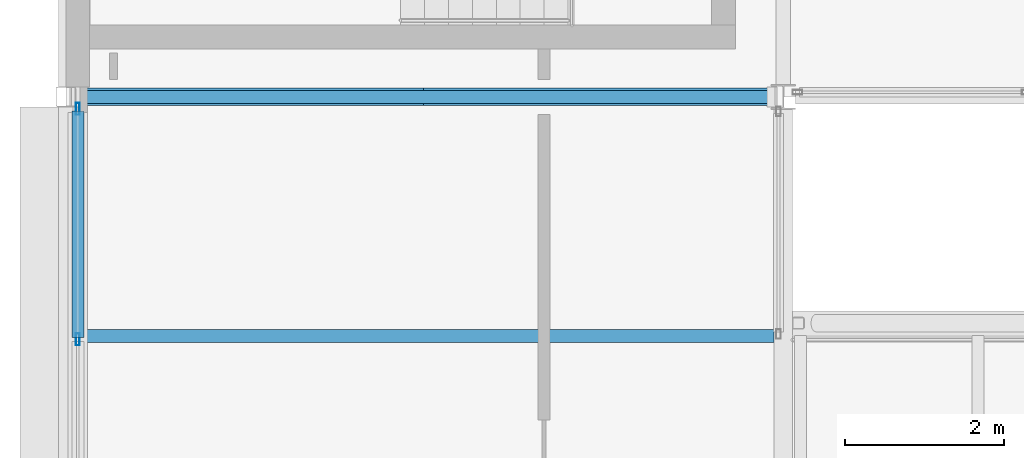
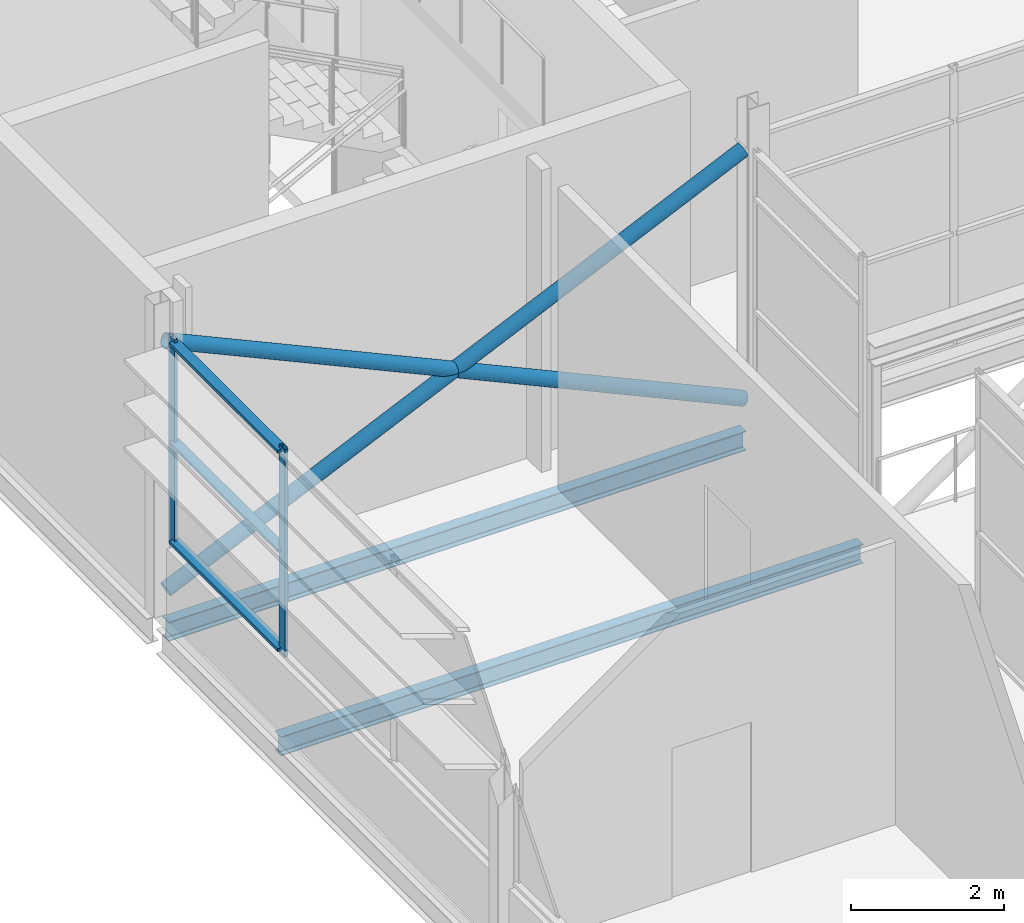
# One storey, part 22 of 94: 7 members, 2 beams, 1 element without a shape of its own.
"""IFC4 building model written with IfcOpenShell, lengths in metres."""

from ifc_helpers import new_model, si_unit, direction, frame, origin, origin_2d, place, context, subcontext, project, spatial, hollow_rectangle, hollow_circle, i_section, extrude, material, layer, layer_set, material_profile, profile_set, type_object, element, aggregate, save


model = new_model("IFC4")

# Units and contexts
model_context = context("Model", 3, precision=1e-05, world=origin(), true_north=direction((0.0, 1.0)))
body_context = subcontext(model_context, "Body", "Model", "MODEL_VIEW")
ifc_project = project(units=[si_unit("LENGTHUNIT", "METRE"), si_unit("AREAUNIT", "SQUARE_METRE"), si_unit("VOLUMEUNIT", "CUBIC_METRE"), si_unit("PLANEANGLEUNIT", "RADIAN"), si_unit("MASSUNIT", "GRAM", prefix="KILO")], contexts=[model_context])

# Site, building, storey
site_placement = place(None, origin())
site = spatial("IfcSite", under=ifc_project, at=site_placement, CompositionType="ELEMENT")
building_placement = place(site_placement, origin())
building = spatial("IfcBuilding", under=site, at=building_placement, Name="Shorebreak Coast Museum", CompositionType="ELEMENT")
storey_placement = place(building_placement, frame((0.0, 0.0, 31.0)))
storey = spatial("IfcBuildingStorey", under=building, at=storey_placement, Name="L05", CompositionType="ELEMENT", Elevation=31.0)

# Beams
ifc_material_1 = material(Name="Steel Grade 300", Category="steel")
ifc_material_profile_1 = material_profile(ifc_material_1, i_section(OverallWidth=0.166015625, OverallDepth=0.30712890625, WebThickness=0.006591796875, FlangeThickness=0.01171875, FilletRadius=0.011474609375, at=origin_2d()), Name="310UB46.2")
ifc_profile_set_1 = profile_set([ifc_material_profile_1], Name="Steel Grade 300")
beam_type_1 = type_object("IfcBeamType", Name="Floor girder east-west 310UB46.2", PredefinedType="BEAM", material=ifc_profile_set_1)
beam_1_placement = place(storey_placement, frame((54.125, 81.0, -0.32861328125), z_axis=(1.0, 0.0, 0.0), x_axis=(0.0, 1.0, 0.0)))
element("IfcBeam", 1, at=beam_1_placement, inside=storey, type_object=beam_type_1, Name="Floor girder east-west L05 7K", PredefinedType="BEAM", context=body_context, shape_type="SweptSolid", body=[
    extrude(i_section(OverallWidth=0.166015625, OverallDepth=0.30712890625, WebThickness=0.006591796875, FlangeThickness=0.01171875, FilletRadius=0.011474609375, at=origin_2d()), origin(), (0.0, 0.0, 1.0), 8.721435546875),
])
ifc_material_2 = material(Name="Steel Grade 300", Category="steel")
ifc_material_profile_2 = material_profile(ifc_material_2, i_section(OverallWidth=0.1650390625, OverallDepth=0.303955078125, WebThickness=0.006103515625, FlangeThickness=0.01025390625, FilletRadius=0.011474609375, at=origin_2d()), Name="310UB40.4")
ifc_profile_set_2 = profile_set([ifc_material_profile_2], Name="Steel Grade 300")
beam_type_2 = type_object("IfcBeamType", Name="Floor joist 310UB40.4", PredefinedType="JOIST", material=ifc_profile_set_2)
beam_2_placement = place(storey_placement, frame((54.089111328125, 78.0, -0.326904296875), z_axis=(1.0, 0.0, 0.0), x_axis=(0.0, 1.0, 0.0)))
element("IfcBeam", 2, at=beam_2_placement, inside=storey, type_object=beam_type_2, Name="Floor joist L05 bay 7J at 6000 mm", PredefinedType="JOIST", context=body_context, shape_type="SweptSolid", body=[
    extrude(i_section(OverallWidth=0.1650390625, OverallDepth=0.303955078125, WebThickness=0.006103515625, FlangeThickness=0.01025390625, FilletRadius=0.011474609375, at=origin_2d()), origin(), (0.0, 0.0, 1.0), 8.79638671875),
])

# Curtain wall, members
ifc_material_3 = material(Name="Aluminium", Category="aluminium")
ifc_layer = layer(ifc_material_3, 0.14990234375)
ifc_layer_set = layer_set([ifc_layer], Name="Aluminium")
curtain_wall_type = type_object("IfcCurtainWallType", Name="Storefront curtain wall", PredefinedType="NOTDEFINED", material=ifc_layer_set)
curtain_wall_placement = place(storey_placement, origin())
curtain_wall = element("IfcCurtainWall", 3, at=curtain_wall_placement, inside=storey, type_object=curtain_wall_type, Name="Atrium Hall glazing L05 W 19", PredefinedType="NOTDEFINED")
ifc_material_4 = material(Name="Aluminium", Category="aluminium")
ifc_material_profile_3 = material_profile(ifc_material_4, hollow_rectangle(XDim=0.050048828125, YDim=0.14990234375, WallThickness=0.00390625, at=origin_2d()), Name="AL 150x50 RHS")
ifc_profile_set_3 = profile_set([ifc_material_profile_3], Name="Aluminium")
member_type_1 = type_object("IfcMemberType", Name="Storefront mullion 50 x 150", PredefinedType="MULLION", material=ifc_profile_set_3)
member_1_placement = place(storey_placement, frame((54.14990234375, 77.958251953125, 1.10009765625), z_axis=(0.0, 0.0, 1.0), x_axis=(-1.0, 0.0, 0.0)))
member_1 = element("IfcMember", 4, at=member_1_placement, type_object=member_type_1, Name="CW5 mullion 3", PredefinedType="MULLION", context=body_context, shape_type="SweptSolid", body=[
    extrude(hollow_rectangle(XDim=0.050048828125, YDim=0.14990234375, WallThickness=0.00390625, at=origin_2d()), origin(), (0.0, 0.0, 1.0), 3.318603515625),
])
member_2_placement = place(storey_placement, frame((54.14990234375, 80.85009765625, 1.10009765625), z_axis=(0.0, 0.0, 1.0), x_axis=(-1.0, 0.0, 0.0)))
member_2 = element("IfcMember", 5, at=member_2_placement, type_object=member_type_1, Name="CW5 mullion 4", PredefinedType="MULLION", context=body_context, shape_type="SweptSolid", body=[
    extrude(hollow_rectangle(XDim=0.050048828125, YDim=0.14990234375, WallThickness=0.00390625, at=origin_2d()), origin(), (0.0, 0.0, 1.0), 3.318603515625),
])
ifc_material_5 = material(Name="Aluminium", Category="aluminium")
ifc_material_profile_4 = material_profile(ifc_material_5, hollow_rectangle(XDim=0.14990234375, YDim=0.050048828125, WallThickness=0.00390625, at=origin_2d()), Name="AL 50x150 RHS")
ifc_profile_set_4 = profile_set([ifc_material_profile_4], Name="Aluminium")
member_type_2 = type_object("IfcMemberType", Name="Storefront transom 150 x 50", PredefinedType="USERDEFINED", material=ifc_profile_set_4)
member_3_placement = place(storey_placement, frame((54.14990234375, 77.9833984375, 1.175048828125), z_axis=(0.0, 1.0, 0.0), x_axis=(-1.0, 0.0, 0.0)))
member_3 = element("IfcMember", 6, at=member_3_placement, type_object=member_type_2, Name="CW5 transom 3.1", ObjectType="TRANSOM", PredefinedType="USERDEFINED", context=body_context, shape_type="SweptSolid", body=[
    extrude(hollow_rectangle(XDim=0.14990234375, YDim=0.050048828125, WallThickness=0.00390625, at=origin_2d()), origin(), (0.0, 0.0, 1.0), 2.841552734375),
])
member_4_placement = place(storey_placement, frame((54.14990234375, 77.9833984375, 2.75927734375), z_axis=(0.0, 1.0, 0.0), x_axis=(-1.0, 0.0, 0.0)))
member_4 = element("IfcMember", 7, at=member_4_placement, type_object=member_type_2, Name="CW5 transom 3.2", ObjectType="TRANSOM", PredefinedType="USERDEFINED", context=body_context, shape_type="SweptSolid", body=[
    extrude(hollow_rectangle(XDim=0.14990234375, YDim=0.050048828125, WallThickness=0.00390625, at=origin_2d()), origin(), (0.0, 0.0, 1.0), 2.841552734375),
])
member_5_placement = place(storey_placement, frame((54.14990234375, 77.9833984375, 4.343505859375), z_axis=(0.0, 1.0, 0.0), x_axis=(-1.0, 0.0, 0.0)))
member_5 = element("IfcMember", 8, at=member_5_placement, type_object=member_type_2, Name="CW5 transom 3.3", ObjectType="TRANSOM", PredefinedType="USERDEFINED", context=body_context, shape_type="SweptSolid", body=[
    extrude(hollow_rectangle(XDim=0.14990234375, YDim=0.050048828125, WallThickness=0.00390625, at=origin_2d()), origin(), (0.0, 0.0, 1.0), 2.841552734375),
])
aggregate(curtain_wall, [member_1, member_2, member_3, member_4, member_5])

# Members
ifc_material_6 = material(Name="Steel Grade C350L0", Category="steel")
ifc_material_profile_5 = material_profile(ifc_material_6, hollow_circle(Radius=0.109619140625, WallThickness=0.00830078125, at=origin_2d()), Name="219.1x8.2 CHS")
ifc_profile_set_5 = profile_set([ifc_material_profile_5], Name="Steel Grade C350L0")
member_type_3 = type_object("IfcMemberType", Name="X-brace 219.1x8.2 CHS", PredefinedType="BRACE", material=ifc_profile_set_5)
for number, where, z_axis, x_axis, name in (
    (9, (54.125, 81.0, 0.300048828125), (0.909950784, 0.0, 0.414716253235), (0.0, 1.0, 0.0), "X-brace bay 03 L05 diagonal 1"),
    (10, (62.846435546875, 81.0, 0.300048828125), (-0.909950784, 0.0, 0.414716253235), (0.0, -1.0, 0.0), "X-brace bay 03 L05 diagonal 2"),
):
    element("IfcMember", number, at=place(storey_placement, frame(where, z_axis=z_axis, x_axis=x_axis)), inside=storey, type_object=member_type_3, Name=name, PredefinedType="BRACE", context=body_context, shape_type="SweptSolid", body=[
        extrude(hollow_circle(Radius=0.109619140625, WallThickness=0.00830078125, at=origin_2d()), origin(), (0.0, 0.0, 1.0), 9.58447265625),
    ])

save(model, "model.ifc")
